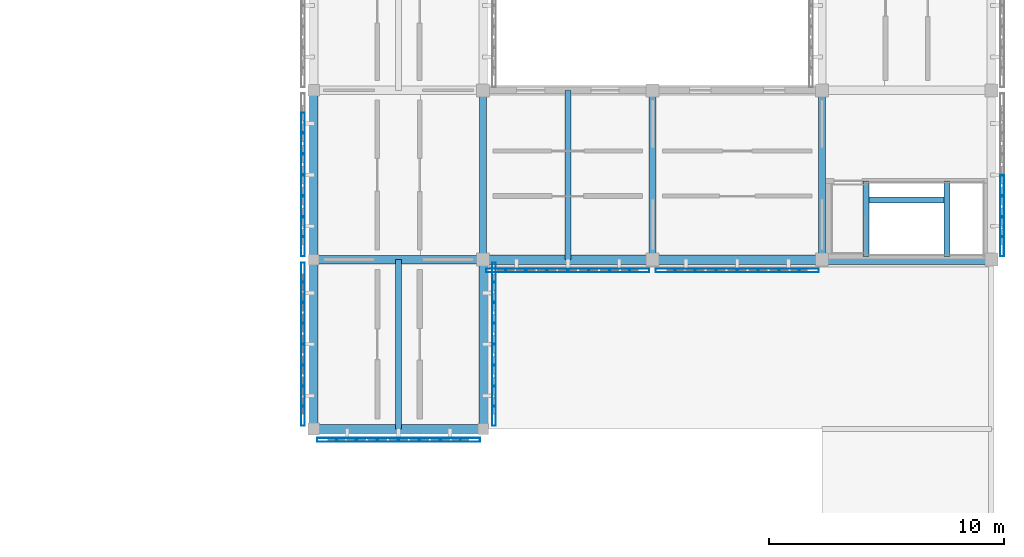
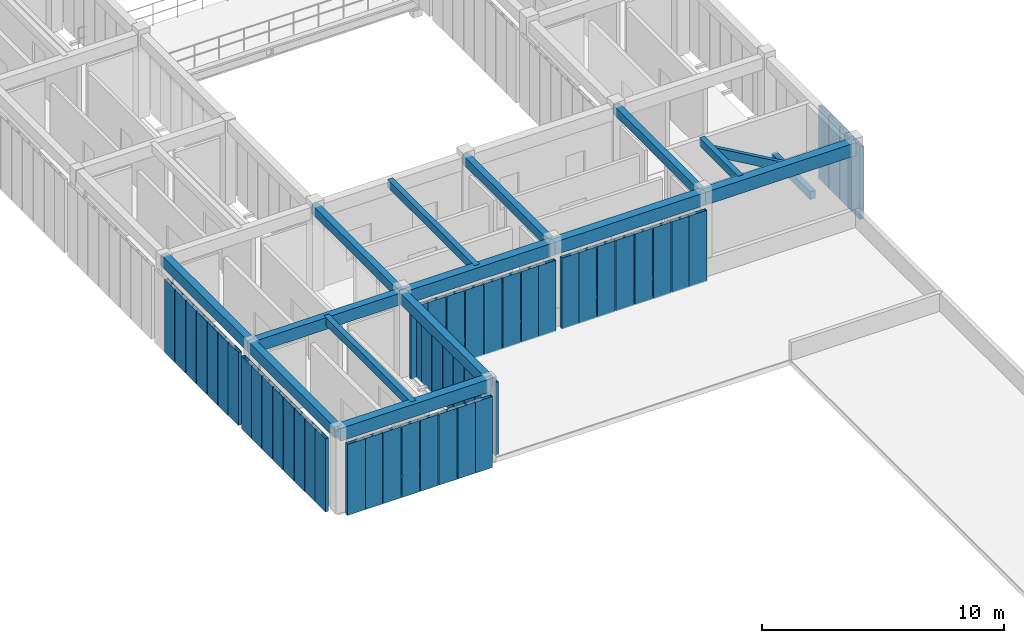
# One storey, part 11 of 91: 51 members, 16 beams, 7 elements without a shape of their own.
"""IFC4 building model written with IfcOpenShell, lengths in metres."""

from ifc_helpers import new_model, si_unit, direction, frame, origin, origin_2d, place, context, subcontext, project, spatial, rectangle, hollow_rectangle, extrude, material, material_profile, profile_set, type_object, element, aggregate, save


model = new_model("IFC4")

# Units and contexts
model_context = context("Model", 3, precision=1e-05, world=origin(), true_north=direction((0.0, 1.0)))
body_context = subcontext(model_context, "Body", "Model", "MODEL_VIEW")
ifc_project = project(units=[si_unit("LENGTHUNIT", "METRE"), si_unit("AREAUNIT", "SQUARE_METRE"), si_unit("VOLUMEUNIT", "CUBIC_METRE"), si_unit("PLANEANGLEUNIT", "RADIAN"), si_unit("MASSUNIT", "GRAM", prefix="KILO")], contexts=[model_context])

# Site, building, storey
site_placement = place(None, origin())
site = spatial("IfcSite", under=ifc_project, at=site_placement, CompositionType="ELEMENT")
building_placement = place(site_placement, origin())
building = spatial("IfcBuilding", under=site, at=building_placement, Name="Aldebral Square Health Centre", CompositionType="ELEMENT")
storey_placement = place(building_placement, frame((0.0, 0.0, 9.0)))
storey = spatial("IfcBuildingStorey", under=building, at=storey_placement, Name="L02", CompositionType="ELEMENT", Elevation=9.0)

# Beams
ifc_material_1 = material(Name="Concrete C40/50", Category="concrete")
ifc_material_profile_1 = material_profile(ifc_material_1, rectangle(XDim=0.39990234375, YDim=0.64990234375, at=origin_2d()), Name="RC 400x650")
ifc_profile_set_1 = profile_set([ifc_material_profile_1], Name="Concrete C40/50")
beam_type_1 = type_object("IfcBeamType", Name="BM-B1", PredefinedType="BEAM", material=ifc_profile_set_1)
for number, where, z_axis, x_axis, name in (
    (1, (136.800048828125, 50.39990234375, 3.9150390625), (1.0, 0.0, 0.0), (0.0, 1.0, 0.0), "L02 X-beam 20-21/G8"),
    (2, (144.0, 57.60009765625, 3.9150390625), (1.0, 0.0, 0.0), (0.0, 1.0, 0.0), "L02 X-beam 21-22/G9"),
    (3, (151.199951171875, 57.60009765625, 3.9150390625), (1.0, 0.0, 0.0), (0.0, 1.0, 0.0), "L02 X-beam 22-23/G9"),
):
    element("IfcBeam", number, at=place(storey_placement, frame(where, z_axis=z_axis, x_axis=x_axis)), inside=storey, type_object=beam_type_1, Name=name, PredefinedType="BEAM", context=body_context, shape_type="SweptSolid", body=[
        extrude(rectangle(XDim=0.39990234375, YDim=0.64990234375, at=origin_2d()), origin(), (0.0, 0.0, 1.0), 7.199951171875),
    ])
beam_1_placement = place(storey_placement, frame((158.39990234375, 57.60009765625, 3.9150390625), z_axis=(1.0, 0.0, 0.0), x_axis=(0.0, 1.0, 0.0)))
element("IfcBeam", 4, at=beam_1_placement, inside=storey, type_object=beam_type_1, Name="L02 X-beam 23-24/G9", PredefinedType="BEAM", context=body_context, shape_type="SweptSolid", body=[
    extrude(rectangle(XDim=0.39990234375, YDim=0.64990234375, at=origin_2d()), origin(), (0.0, 0.0, 1.0), 7.2001953125),
])
ifc_material_profile_2 = material_profile(ifc_material_1, rectangle(XDim=0.35009765625, YDim=0.60009765625, at=origin_2d()), Name="RC 350x600")
ifc_profile_set_2 = profile_set([ifc_material_profile_2], Name="Concrete C40/50")
beam_type_2 = type_object("IfcBeamType", Name="BM-B2", PredefinedType="BEAM", material=ifc_profile_set_2)
beam_2_placement = place(storey_placement, frame((136.800048828125, 57.60009765625, 3.93994140625), z_axis=(1.0, 0.0, 0.0), x_axis=(0.0, 1.0, 0.0)))
element("IfcBeam", 5, at=beam_2_placement, inside=storey, type_object=beam_type_2, Name="L02 X-beam 20-21/G9", PredefinedType="BEAM", context=body_context, shape_type="SweptSolid", body=[
    extrude(rectangle(XDim=0.35009765625, YDim=0.60009765625, at=origin_2d()), origin(), (0.0, 0.0, 1.0), 7.199951171875),
])
ifc_material_profile_3 = material_profile(ifc_material_1, rectangle(XDim=0.35009765625, YDim=0.550048828125, at=origin_2d()), Name="RC 350x550")
ifc_profile_set_3 = profile_set([ifc_material_profile_3], Name="Concrete C40/50")
beam_type_3 = type_object("IfcBeamType", Name="BM-B3", PredefinedType="BEAM", material=ifc_profile_set_3)
beam_3_placement = place(storey_placement, frame((136.800048828125, 50.39990234375, 3.965087890625), z_axis=(0.0, 1.0, 0.0), x_axis=(-1.0, 0.0, 0.0)))
element("IfcBeam", 6, at=beam_3_placement, inside=storey, type_object=beam_type_3, Name="L02 Y-beam G20/8-9", PredefinedType="BEAM", context=body_context, shape_type="SweptSolid", body=[
    extrude(rectangle(XDim=0.35009765625, YDim=0.550048828125, at=origin_2d()), origin(), (0.0, 0.0, 1.0), 7.2001953125),
])
beam_4_placement = place(storey_placement, frame((136.800048828125, 57.60009765625, 3.965087890625), z_axis=(0.0, 1.0, 0.0), x_axis=(-1.0, 0.0, 0.0)))
element("IfcBeam", 7, at=beam_4_placement, inside=storey, type_object=beam_type_3, Name="L02 Y-beam G20/9-10", PredefinedType="BEAM", context=body_context, shape_type="SweptSolid", body=[
    extrude(rectangle(XDim=0.35009765625, YDim=0.550048828125, at=origin_2d()), origin(), (0.0, 0.0, 1.0), 7.199951171875),
])
beam_5_placement = place(storey_placement, frame((144.0, 50.39990234375, 3.965087890625), z_axis=(0.0, 1.0, 0.0), x_axis=(-1.0, 0.0, 0.0)))
element("IfcBeam", 8, at=beam_5_placement, inside=storey, type_object=beam_type_3, Name="L02 Y-beam G21/8-9", PredefinedType="BEAM", context=body_context, shape_type="SweptSolid", body=[
    extrude(rectangle(XDim=0.35009765625, YDim=0.550048828125, at=origin_2d()), origin(), (0.0, 0.0, 1.0), 7.2001953125),
])
ifc_material_profile_4 = material_profile(ifc_material_1, rectangle(XDim=0.300048828125, YDim=0.449951171875, at=origin_2d()), Name="RC 300x450")
ifc_profile_set_4 = profile_set([ifc_material_profile_4], Name="Concrete C40/50")
beam_type_4 = type_object("IfcBeamType", Name="BM-B5", PredefinedType="BEAM", material=ifc_profile_set_4)
for number, where, z_axis, x_axis, name in (
    (9, (144.0, 57.60009765625, 4.014892578125), (0.0, 1.0, 0.0), (-1.0, 0.0, 0.0), "L02 Y-beam G21/9-10"),
    (10, (151.199951171875, 57.60009765625, 4.014892578125), (0.0, 1.0, 0.0), (-1.0, 0.0, 0.0), "L02 Y-beam G22/9-10"),
    (11, (158.39990234375, 57.60009765625, 4.014892578125), (0.0, 1.0, 0.0), (-1.0, 0.0, 0.0), "L02 Y-beam G23/9-10"),
):
    element("IfcBeam", number, at=place(storey_placement, frame(where, z_axis=z_axis, x_axis=x_axis)), inside=storey, type_object=beam_type_4, Name=name, PredefinedType="BEAM", context=body_context, shape_type="SweptSolid", body=[
        extrude(rectangle(XDim=0.300048828125, YDim=0.449951171875, at=origin_2d()), origin(), (0.0, 0.0, 1.0), 7.199951171875),
    ])
ifc_material_profile_5 = material_profile(ifc_material_1, rectangle(XDim=0.25, YDim=0.39990234375, at=origin_2d()), Name="RC 250x400")
ifc_profile_set_5 = profile_set([ifc_material_profile_5], Name="Concrete C40/50")
beam_type_5 = type_object("IfcBeamType", Name="BM-B6", PredefinedType="JOIST", material=ifc_profile_set_5)
beam_6_placement = place(storey_placement, frame((140.39990234375, 50.39990234375, 4.0400390625), z_axis=(0.0, 1.0, 0.0), x_axis=(-1.0, 0.0, 0.0)))
element("IfcBeam", 12, at=beam_6_placement, inside=storey, type_object=beam_type_5, Name="L02 secondary rib 20.8", PredefinedType="JOIST", context=body_context, shape_type="SweptSolid", body=[
    extrude(rectangle(XDim=0.25, YDim=0.39990234375, at=origin_2d()), origin(), (0.0, 0.0, 1.0), 7.2001953125),
])
beam_7_placement = place(storey_placement, frame((147.60009765625, 57.60009765625, 4.0400390625), z_axis=(0.0, 1.0, 0.0), x_axis=(-1.0, 0.0, 0.0)))
element("IfcBeam", 13, at=beam_7_placement, inside=storey, type_object=beam_type_5, Name="L02 secondary rib 21.9", PredefinedType="JOIST", context=body_context, shape_type="SweptSolid", body=[
    extrude(rectangle(XDim=0.25, YDim=0.39990234375, at=origin_2d()), origin(), (0.0, 0.0, 1.0), 7.199951171875),
])
for number, where, z_axis, x_axis, name in (
    (14, (163.719970703125, 57.72998046875, 2.050048828125), (0.0, 1.0, 0.0), (-1.0, 0.0, 0.0), "L02 WS-S9 half-landing beam"),
    (15, (160.280029296875, 57.72998046875, 4.0400390625), (0.0, 1.0, 0.0), (-1.0, 0.0, 0.0), "L02 WS-S9 upper landing beam"),
):
    element("IfcBeam", number, at=place(storey_placement, frame(where, z_axis=z_axis, x_axis=x_axis)), inside=storey, type_object=beam_type_5, Name=name, PredefinedType="JOIST", context=body_context, shape_type="SweptSolid", body=[
        extrude(rectangle(XDim=0.25, YDim=0.39990234375, at=origin_2d()), origin(), (0.0, 0.0, 1.0), 3.219970703125),
    ])
beam_8_placement = place(storey_placement, frame((163.719970703125, 60.139892578125, 2.050048828125), z_axis=(-0.865595878586, 0.0, 0.500743222595), x_axis=(0.0, -1.0, 0.0)))
element("IfcBeam", 16, at=beam_8_placement, inside=storey, type_object=beam_type_5, Name="L02 WS-S9 flight stringer beam", PredefinedType="JOIST", context=body_context, shape_type="SweptSolid", body=[
    extrude(rectangle(XDim=0.25, YDim=0.39990234375, at=origin_2d()), origin(), (0.0, 0.0, 1.0), 3.97412109375),
])

# Curtain wall, members
ifc_material_2 = material(Name="Aluminium and low-E solar glass", Category="aluminium")
curtain_wall_type = type_object("IfcCurtainWallType", Name="CW-FIN-SYS", PredefinedType="USERDEFINED", material=ifc_material_2)
curtain_wall_1_placement = place(storey_placement, origin())
curtain_wall_1 = element("IfcCurtainWall", 17, at=curtain_wall_1_placement, inside=storey, type_object=curtain_wall_type, Name="L02 V5 finned curtain wall L02-V5-19-07-S", ObjectType="SOLAR_CURTAIN_WALL", PredefinedType="USERDEFINED")
ifc_material_3 = material(Name="Sienna-terracotta clad aluminium fin", Category="masonry")
ifc_material_profile_6 = material_profile(ifc_material_3, hollow_rectangle(XDim=0.159912109375, YDim=0.85009765625, WallThickness=0.006103515625, at=origin_2d()), Name="FIN 160x850x6")
ifc_profile_set_6 = profile_set([ifc_material_profile_6], Name="Sienna-terracotta clad aluminium fin")
member_type = type_object("IfcMemberType", Name="CWM-FIN", PredefinedType="MULLION", material=ifc_profile_set_6)
member_1_placement = place(storey_placement, frame((137.360107421875, 49.93994140625, 0.0), z_axis=(0.0, 0.0, 1.0), x_axis=(0.0, 1.0, 0.0)))
member_1 = element("IfcMember", 18, at=member_1_placement, type_object=member_type, Name="CW1 mullion 1", PredefinedType="MULLION", context=body_context, shape_type="SweptSolid", body=[
    extrude(hollow_rectangle(XDim=0.159912109375, YDim=0.85009765625, WallThickness=0.006103515625, at=origin_2d()), origin(), (0.0, 0.0, 1.0), 3.590087890625),
])
member_2_placement = place(storey_placement, frame((138.17138671875, 49.93994140625, 0.0), z_axis=(0.0, 0.0, 1.0), x_axis=(0.0, 1.0, 0.0)))
member_2 = element("IfcMember", 19, at=member_2_placement, type_object=member_type, Name="CW1 mullion 2", PredefinedType="MULLION", context=body_context, shape_type="SweptSolid", body=[
    extrude(hollow_rectangle(XDim=0.159912109375, YDim=0.85009765625, WallThickness=0.006103515625, at=origin_2d()), origin(), (0.0, 0.0, 1.0), 3.590087890625),
])
member_3_placement = place(storey_placement, frame((139.062744140625, 49.93994140625, 0.0), z_axis=(0.0, 0.0, 1.0), x_axis=(0.0, 1.0, 0.0)))
member_3 = element("IfcMember", 20, at=member_3_placement, type_object=member_type, Name="CW1 mullion 3", PredefinedType="MULLION", context=body_context, shape_type="SweptSolid", body=[
    extrude(hollow_rectangle(XDim=0.159912109375, YDim=0.85009765625, WallThickness=0.006103515625, at=origin_2d()), origin(), (0.0, 0.0, 1.0), 3.590087890625),
])
member_4_placement = place(storey_placement, frame((139.954345703125, 49.93994140625, 0.0), z_axis=(0.0, 0.0, 1.0), x_axis=(0.0, 1.0, 0.0)))
member_4 = element("IfcMember", 21, at=member_4_placement, type_object=member_type, Name="CW1 mullion 4", PredefinedType="MULLION", context=body_context, shape_type="SweptSolid", body=[
    extrude(hollow_rectangle(XDim=0.159912109375, YDim=0.85009765625, WallThickness=0.006103515625, at=origin_2d()), origin(), (0.0, 0.0, 1.0), 3.590087890625),
])
member_5_placement = place(storey_placement, frame((140.845703125, 49.93994140625, 0.0), z_axis=(0.0, 0.0, 1.0), x_axis=(0.0, 1.0, 0.0)))
member_5 = element("IfcMember", 22, at=member_5_placement, type_object=member_type, Name="CW1 mullion 5", PredefinedType="MULLION", context=body_context, shape_type="SweptSolid", body=[
    extrude(hollow_rectangle(XDim=0.159912109375, YDim=0.85009765625, WallThickness=0.006103515625, at=origin_2d()), origin(), (0.0, 0.0, 1.0), 3.590087890625),
])
member_6_placement = place(storey_placement, frame((141.737060546875, 49.93994140625, 0.0), z_axis=(0.0, 0.0, 1.0), x_axis=(0.0, 1.0, 0.0)))
member_6 = element("IfcMember", 23, at=member_6_placement, type_object=member_type, Name="CW1 mullion 6", PredefinedType="MULLION", context=body_context, shape_type="SweptSolid", body=[
    extrude(hollow_rectangle(XDim=0.159912109375, YDim=0.85009765625, WallThickness=0.006103515625, at=origin_2d()), origin(), (0.0, 0.0, 1.0), 3.590087890625),
])
member_7_placement = place(storey_placement, frame((142.628662109375, 49.93994140625, 0.0), z_axis=(0.0, 0.0, 1.0), x_axis=(0.0, 1.0, 0.0)))
member_7 = element("IfcMember", 24, at=member_7_placement, type_object=member_type, Name="CW1 mullion 7", PredefinedType="MULLION", context=body_context, shape_type="SweptSolid", body=[
    extrude(hollow_rectangle(XDim=0.159912109375, YDim=0.85009765625, WallThickness=0.006103515625, at=origin_2d()), origin(), (0.0, 0.0, 1.0), 3.590087890625),
])
member_8_placement = place(storey_placement, frame((143.43994140625, 49.93994140625, 0.0), z_axis=(0.0, 0.0, 1.0), x_axis=(0.0, 1.0, 0.0)))
member_8 = element("IfcMember", 25, at=member_8_placement, type_object=member_type, Name="CW1 mullion 8", PredefinedType="MULLION", context=body_context, shape_type="SweptSolid", body=[
    extrude(hollow_rectangle(XDim=0.159912109375, YDim=0.85009765625, WallThickness=0.006103515625, at=origin_2d()), origin(), (0.0, 0.0, 1.0), 3.590087890625),
])
aggregate(curtain_wall_1, [member_1, member_2, member_3, member_4, member_5, member_6, member_7, member_8])

curtain_wall_2_placement = place(storey_placement, origin())
curtain_wall_2 = element("IfcCurtainWall", 26, at=curtain_wall_2_placement, inside=storey, type_object=curtain_wall_type, Name="L02 V5 finned curtain wall L02-V5-19-07-W", ObjectType="SOLAR_CURTAIN_WALL", PredefinedType="USERDEFINED")
member_9_placement = place(storey_placement, frame((136.340087890625, 57.0400390625, 0.0), z_axis=(0.0, 0.0, 1.0), x_axis=(1.0, 0.0, 0.0)))
member_9 = element("IfcMember", 27, at=member_9_placement, type_object=member_type, Name="CW1 mullion 1", PredefinedType="MULLION", context=body_context, shape_type="SweptSolid", body=[
    extrude(hollow_rectangle(XDim=0.159912109375, YDim=0.85009765625, WallThickness=0.006103515625, at=origin_2d()), origin(), (0.0, 0.0, 1.0), 3.68994140625),
])
member_10_placement = place(storey_placement, frame((136.340087890625, 56.228515625, 0.0), z_axis=(0.0, 0.0, 1.0), x_axis=(1.0, 0.0, 0.0)))
member_10 = element("IfcMember", 28, at=member_10_placement, type_object=member_type, Name="CW1 mullion 2", PredefinedType="MULLION", context=body_context, shape_type="SweptSolid", body=[
    extrude(hollow_rectangle(XDim=0.159912109375, YDim=0.85009765625, WallThickness=0.006103515625, at=origin_2d()), origin(), (0.0, 0.0, 1.0), 3.68994140625),
])
member_11_placement = place(storey_placement, frame((136.340087890625, 55.337158203125, 0.0), z_axis=(0.0, 0.0, 1.0), x_axis=(1.0, 0.0, 0.0)))
member_11 = element("IfcMember", 29, at=member_11_placement, type_object=member_type, Name="CW1 mullion 3", PredefinedType="MULLION", context=body_context, shape_type="SweptSolid", body=[
    extrude(hollow_rectangle(XDim=0.159912109375, YDim=0.85009765625, WallThickness=0.006103515625, at=origin_2d()), origin(), (0.0, 0.0, 1.0), 3.68994140625),
])
member_12_placement = place(storey_placement, frame((136.340087890625, 54.44580078125, 0.0), z_axis=(0.0, 0.0, 1.0), x_axis=(1.0, 0.0, 0.0)))
member_12 = element("IfcMember", 30, at=member_12_placement, type_object=member_type, Name="CW1 mullion 4", PredefinedType="MULLION", context=body_context, shape_type="SweptSolid", body=[
    extrude(hollow_rectangle(XDim=0.159912109375, YDim=0.85009765625, WallThickness=0.006103515625, at=origin_2d()), origin(), (0.0, 0.0, 1.0), 3.68994140625),
])
member_13_placement = place(storey_placement, frame((136.340087890625, 53.55419921875, 0.0), z_axis=(0.0, 0.0, 1.0), x_axis=(1.0, 0.0, 0.0)))
member_13 = element("IfcMember", 31, at=member_13_placement, type_object=member_type, Name="CW1 mullion 5", PredefinedType="MULLION", context=body_context, shape_type="SweptSolid", body=[
    extrude(hollow_rectangle(XDim=0.159912109375, YDim=0.85009765625, WallThickness=0.006103515625, at=origin_2d()), origin(), (0.0, 0.0, 1.0), 3.68994140625),
])
member_14_placement = place(storey_placement, frame((136.340087890625, 52.662841796875, 0.0), z_axis=(0.0, 0.0, 1.0), x_axis=(1.0, 0.0, 0.0)))
member_14 = element("IfcMember", 32, at=member_14_placement, type_object=member_type, Name="CW1 mullion 6", PredefinedType="MULLION", context=body_context, shape_type="SweptSolid", body=[
    extrude(hollow_rectangle(XDim=0.159912109375, YDim=0.85009765625, WallThickness=0.006103515625, at=origin_2d()), origin(), (0.0, 0.0, 1.0), 3.68994140625),
])
member_15_placement = place(storey_placement, frame((136.340087890625, 51.771484375, 0.0), z_axis=(0.0, 0.0, 1.0), x_axis=(1.0, 0.0, 0.0)))
member_15 = element("IfcMember", 33, at=member_15_placement, type_object=member_type, Name="CW1 mullion 7", PredefinedType="MULLION", context=body_context, shape_type="SweptSolid", body=[
    extrude(hollow_rectangle(XDim=0.159912109375, YDim=0.85009765625, WallThickness=0.006103515625, at=origin_2d()), origin(), (0.0, 0.0, 1.0), 3.68994140625),
])
member_16_placement = place(storey_placement, frame((136.340087890625, 50.9599609375, 0.0), z_axis=(0.0, 0.0, 1.0), x_axis=(1.0, 0.0, 0.0)))
member_16 = element("IfcMember", 34, at=member_16_placement, type_object=member_type, Name="CW1 mullion 8", PredefinedType="MULLION", context=body_context, shape_type="SweptSolid", body=[
    extrude(hollow_rectangle(XDim=0.159912109375, YDim=0.85009765625, WallThickness=0.006103515625, at=origin_2d()), origin(), (0.0, 0.0, 1.0), 3.68994140625),
])
aggregate(curtain_wall_2, [member_9, member_10, member_11, member_12, member_13, member_14, member_15, member_16])

curtain_wall_3_placement = place(storey_placement, origin())
curtain_wall_3 = element("IfcCurtainWall", 35, at=curtain_wall_3_placement, inside=storey, type_object=curtain_wall_type, Name="L02 V5 finned curtain wall L02-V5-19-07-E", ObjectType="SOLAR_CURTAIN_WALL", PredefinedType="USERDEFINED")
member_17_placement = place(storey_placement, frame((144.4599609375, 50.9599609375, 0.0), z_axis=(0.0, 0.0, 1.0), x_axis=(-1.0, 0.0, 0.0)))
member_17 = element("IfcMember", 36, at=member_17_placement, type_object=member_type, Name="CW1 mullion 1", PredefinedType="MULLION", context=body_context, shape_type="SweptSolid", body=[
    extrude(hollow_rectangle(XDim=0.159912109375, YDim=0.85009765625, WallThickness=0.006103515625, at=origin_2d()), origin(), (0.0, 0.0, 1.0), 3.68994140625),
])
member_18_placement = place(storey_placement, frame((144.4599609375, 51.771484375, 0.0), z_axis=(0.0, 0.0, 1.0), x_axis=(-1.0, 0.0, 0.0)))
member_18 = element("IfcMember", 37, at=member_18_placement, type_object=member_type, Name="CW1 mullion 2", PredefinedType="MULLION", context=body_context, shape_type="SweptSolid", body=[
    extrude(hollow_rectangle(XDim=0.159912109375, YDim=0.85009765625, WallThickness=0.006103515625, at=origin_2d()), origin(), (0.0, 0.0, 1.0), 3.68994140625),
])
member_19_placement = place(storey_placement, frame((144.4599609375, 52.662841796875, 0.0), z_axis=(0.0, 0.0, 1.0), x_axis=(-1.0, 0.0, 0.0)))
member_19 = element("IfcMember", 38, at=member_19_placement, type_object=member_type, Name="CW1 mullion 3", PredefinedType="MULLION", context=body_context, shape_type="SweptSolid", body=[
    extrude(hollow_rectangle(XDim=0.159912109375, YDim=0.85009765625, WallThickness=0.006103515625, at=origin_2d()), origin(), (0.0, 0.0, 1.0), 3.68994140625),
])
member_20_placement = place(storey_placement, frame((144.4599609375, 53.55419921875, 0.0), z_axis=(0.0, 0.0, 1.0), x_axis=(-1.0, 0.0, 0.0)))
member_20 = element("IfcMember", 39, at=member_20_placement, type_object=member_type, Name="CW1 mullion 4", PredefinedType="MULLION", context=body_context, shape_type="SweptSolid", body=[
    extrude(hollow_rectangle(XDim=0.159912109375, YDim=0.85009765625, WallThickness=0.006103515625, at=origin_2d()), origin(), (0.0, 0.0, 1.0), 3.68994140625),
])
member_21_placement = place(storey_placement, frame((144.4599609375, 54.44580078125, 0.0), z_axis=(0.0, 0.0, 1.0), x_axis=(-1.0, 0.0, 0.0)))
member_21 = element("IfcMember", 40, at=member_21_placement, type_object=member_type, Name="CW1 mullion 5", PredefinedType="MULLION", context=body_context, shape_type="SweptSolid", body=[
    extrude(hollow_rectangle(XDim=0.159912109375, YDim=0.85009765625, WallThickness=0.006103515625, at=origin_2d()), origin(), (0.0, 0.0, 1.0), 3.68994140625),
])
member_22_placement = place(storey_placement, frame((144.4599609375, 55.337158203125, 0.0), z_axis=(0.0, 0.0, 1.0), x_axis=(-1.0, 0.0, 0.0)))
member_22 = element("IfcMember", 41, at=member_22_placement, type_object=member_type, Name="CW1 mullion 6", PredefinedType="MULLION", context=body_context, shape_type="SweptSolid", body=[
    extrude(hollow_rectangle(XDim=0.159912109375, YDim=0.85009765625, WallThickness=0.006103515625, at=origin_2d()), origin(), (0.0, 0.0, 1.0), 3.68994140625),
])
member_23_placement = place(storey_placement, frame((144.4599609375, 56.228515625, 0.0), z_axis=(0.0, 0.0, 1.0), x_axis=(-1.0, 0.0, 0.0)))
member_23 = element("IfcMember", 42, at=member_23_placement, type_object=member_type, Name="CW1 mullion 7", PredefinedType="MULLION", context=body_context, shape_type="SweptSolid", body=[
    extrude(hollow_rectangle(XDim=0.159912109375, YDim=0.85009765625, WallThickness=0.006103515625, at=origin_2d()), origin(), (0.0, 0.0, 1.0), 3.68994140625),
])
member_24_placement = place(storey_placement, frame((144.4599609375, 57.0400390625, 0.0), z_axis=(0.0, 0.0, 1.0), x_axis=(-1.0, 0.0, 0.0)))
member_24 = element("IfcMember", 43, at=member_24_placement, type_object=member_type, Name="CW1 mullion 8", PredefinedType="MULLION", context=body_context, shape_type="SweptSolid", body=[
    extrude(hollow_rectangle(XDim=0.159912109375, YDim=0.85009765625, WallThickness=0.006103515625, at=origin_2d()), origin(), (0.0, 0.0, 1.0), 3.68994140625),
])
aggregate(curtain_wall_3, [member_17, member_18, member_19, member_20, member_21, member_22, member_23, member_24])

curtain_wall_4_placement = place(storey_placement, origin())
curtain_wall_4 = element("IfcCurtainWall", 44, at=curtain_wall_4_placement, inside=storey, type_object=curtain_wall_type, Name="L02 V5 finned curtain wall L02-V5-19-08-W", ObjectType="SOLAR_CURTAIN_WALL", PredefinedType="USERDEFINED")
member_25_placement = place(storey_placement, frame((136.340087890625, 63.428466796875, 0.0), z_axis=(0.0, 0.0, 1.0), x_axis=(1.0, 0.0, 0.0)))
member_25 = element("IfcMember", 45, at=member_25_placement, type_object=member_type, Name="CW1 mullion 2", PredefinedType="MULLION", context=body_context, shape_type="SweptSolid", body=[
    extrude(hollow_rectangle(XDim=0.159912109375, YDim=0.85009765625, WallThickness=0.006103515625, at=origin_2d()), origin(), (0.0, 0.0, 1.0), 3.68994140625),
])
member_26_placement = place(storey_placement, frame((136.340087890625, 62.537109375, 0.0), z_axis=(0.0, 0.0, 1.0), x_axis=(1.0, 0.0, 0.0)))
member_26 = element("IfcMember", 46, at=member_26_placement, type_object=member_type, Name="CW1 mullion 3", PredefinedType="MULLION", context=body_context, shape_type="SweptSolid", body=[
    extrude(hollow_rectangle(XDim=0.159912109375, YDim=0.85009765625, WallThickness=0.006103515625, at=origin_2d()), origin(), (0.0, 0.0, 1.0), 3.68994140625),
])
member_27_placement = place(storey_placement, frame((136.340087890625, 61.645751953125, 0.0), z_axis=(0.0, 0.0, 1.0), x_axis=(1.0, 0.0, 0.0)))
member_27 = element("IfcMember", 47, at=member_27_placement, type_object=member_type, Name="CW1 mullion 4", PredefinedType="MULLION", context=body_context, shape_type="SweptSolid", body=[
    extrude(hollow_rectangle(XDim=0.159912109375, YDim=0.85009765625, WallThickness=0.006103515625, at=origin_2d()), origin(), (0.0, 0.0, 1.0), 3.68994140625),
])
member_28_placement = place(storey_placement, frame((136.340087890625, 60.75439453125, 0.0), z_axis=(0.0, 0.0, 1.0), x_axis=(1.0, 0.0, 0.0)))
member_28 = element("IfcMember", 48, at=member_28_placement, type_object=member_type, Name="CW1 mullion 5", PredefinedType="MULLION", context=body_context, shape_type="SweptSolid", body=[
    extrude(hollow_rectangle(XDim=0.159912109375, YDim=0.85009765625, WallThickness=0.006103515625, at=origin_2d()), origin(), (0.0, 0.0, 1.0), 3.68994140625),
])
member_29_placement = place(storey_placement, frame((136.340087890625, 59.86279296875, 0.0), z_axis=(0.0, 0.0, 1.0), x_axis=(1.0, 0.0, 0.0)))
member_29 = element("IfcMember", 49, at=member_29_placement, type_object=member_type, Name="CW1 mullion 6", PredefinedType="MULLION", context=body_context, shape_type="SweptSolid", body=[
    extrude(hollow_rectangle(XDim=0.159912109375, YDim=0.85009765625, WallThickness=0.006103515625, at=origin_2d()), origin(), (0.0, 0.0, 1.0), 3.68994140625),
])
member_30_placement = place(storey_placement, frame((136.340087890625, 58.971435546875, 0.0), z_axis=(0.0, 0.0, 1.0), x_axis=(1.0, 0.0, 0.0)))
member_30 = element("IfcMember", 50, at=member_30_placement, type_object=member_type, Name="CW1 mullion 7", PredefinedType="MULLION", context=body_context, shape_type="SweptSolid", body=[
    extrude(hollow_rectangle(XDim=0.159912109375, YDim=0.85009765625, WallThickness=0.006103515625, at=origin_2d()), origin(), (0.0, 0.0, 1.0), 3.68994140625),
])
member_31_placement = place(storey_placement, frame((136.340087890625, 58.159912109375, 0.0), z_axis=(0.0, 0.0, 1.0), x_axis=(1.0, 0.0, 0.0)))
member_31 = element("IfcMember", 51, at=member_31_placement, type_object=member_type, Name="CW1 mullion 8", PredefinedType="MULLION", context=body_context, shape_type="SweptSolid", body=[
    extrude(hollow_rectangle(XDim=0.159912109375, YDim=0.85009765625, WallThickness=0.006103515625, at=origin_2d()), origin(), (0.0, 0.0, 1.0), 3.68994140625),
])
aggregate(curtain_wall_4, [member_25, member_26, member_27, member_28, member_29, member_30, member_31])

curtain_wall_5_placement = place(storey_placement, origin())
curtain_wall_5 = element("IfcCurtainWall", 52, at=curtain_wall_5_placement, inside=storey, type_object=curtain_wall_type, Name="L02 V5 finned curtain wall L02-V5-20-08-S", ObjectType="SOLAR_CURTAIN_WALL", PredefinedType="USERDEFINED")
member_32_placement = place(storey_placement, frame((144.56005859375, 57.139892578125, 0.0), z_axis=(0.0, 0.0, 1.0), x_axis=(0.0, 1.0, 0.0)))
member_32 = element("IfcMember", 53, at=member_32_placement, type_object=member_type, Name="CW1 mullion 1", PredefinedType="MULLION", context=body_context, shape_type="SweptSolid", body=[
    extrude(hollow_rectangle(XDim=0.159912109375, YDim=0.85009765625, WallThickness=0.006103515625, at=origin_2d()), origin(), (0.0, 0.0, 1.0), 3.590087890625),
])
member_33_placement = place(storey_placement, frame((145.371337890625, 57.139892578125, 0.0), z_axis=(0.0, 0.0, 1.0), x_axis=(0.0, 1.0, 0.0)))
member_33 = element("IfcMember", 54, at=member_33_placement, type_object=member_type, Name="CW1 mullion 2", PredefinedType="MULLION", context=body_context, shape_type="SweptSolid", body=[
    extrude(hollow_rectangle(XDim=0.159912109375, YDim=0.85009765625, WallThickness=0.006103515625, at=origin_2d()), origin(), (0.0, 0.0, 1.0), 3.590087890625),
])
member_34_placement = place(storey_placement, frame((146.262939453125, 57.139892578125, 0.0), z_axis=(0.0, 0.0, 1.0), x_axis=(0.0, 1.0, 0.0)))
member_34 = element("IfcMember", 55, at=member_34_placement, type_object=member_type, Name="CW1 mullion 3", PredefinedType="MULLION", context=body_context, shape_type="SweptSolid", body=[
    extrude(hollow_rectangle(XDim=0.159912109375, YDim=0.85009765625, WallThickness=0.006103515625, at=origin_2d()), origin(), (0.0, 0.0, 1.0), 3.590087890625),
])
member_35_placement = place(storey_placement, frame((147.154296875, 57.139892578125, 0.0), z_axis=(0.0, 0.0, 1.0), x_axis=(0.0, 1.0, 0.0)))
member_35 = element("IfcMember", 56, at=member_35_placement, type_object=member_type, Name="CW1 mullion 4", PredefinedType="MULLION", context=body_context, shape_type="SweptSolid", body=[
    extrude(hollow_rectangle(XDim=0.159912109375, YDim=0.85009765625, WallThickness=0.006103515625, at=origin_2d()), origin(), (0.0, 0.0, 1.0), 3.590087890625),
])
member_36_placement = place(storey_placement, frame((148.045654296875, 57.139892578125, 0.0), z_axis=(0.0, 0.0, 1.0), x_axis=(0.0, 1.0, 0.0)))
member_36 = element("IfcMember", 57, at=member_36_placement, type_object=member_type, Name="CW1 mullion 5", PredefinedType="MULLION", context=body_context, shape_type="SweptSolid", body=[
    extrude(hollow_rectangle(XDim=0.159912109375, YDim=0.85009765625, WallThickness=0.006103515625, at=origin_2d()), origin(), (0.0, 0.0, 1.0), 3.590087890625),
])
member_37_placement = place(storey_placement, frame((148.937255859375, 57.139892578125, 0.0), z_axis=(0.0, 0.0, 1.0), x_axis=(0.0, 1.0, 0.0)))
member_37 = element("IfcMember", 58, at=member_37_placement, type_object=member_type, Name="CW1 mullion 6", PredefinedType="MULLION", context=body_context, shape_type="SweptSolid", body=[
    extrude(hollow_rectangle(XDim=0.159912109375, YDim=0.85009765625, WallThickness=0.006103515625, at=origin_2d()), origin(), (0.0, 0.0, 1.0), 3.590087890625),
])
member_38_placement = place(storey_placement, frame((149.82861328125, 57.139892578125, 0.0), z_axis=(0.0, 0.0, 1.0), x_axis=(0.0, 1.0, 0.0)))
member_38 = element("IfcMember", 59, at=member_38_placement, type_object=member_type, Name="CW1 mullion 7", PredefinedType="MULLION", context=body_context, shape_type="SweptSolid", body=[
    extrude(hollow_rectangle(XDim=0.159912109375, YDim=0.85009765625, WallThickness=0.006103515625, at=origin_2d()), origin(), (0.0, 0.0, 1.0), 3.590087890625),
])
member_39_placement = place(storey_placement, frame((150.639892578125, 57.139892578125, 0.0), z_axis=(0.0, 0.0, 1.0), x_axis=(0.0, 1.0, 0.0)))
member_39 = element("IfcMember", 60, at=member_39_placement, type_object=member_type, Name="CW1 mullion 8", PredefinedType="MULLION", context=body_context, shape_type="SweptSolid", body=[
    extrude(hollow_rectangle(XDim=0.159912109375, YDim=0.85009765625, WallThickness=0.006103515625, at=origin_2d()), origin(), (0.0, 0.0, 1.0), 3.590087890625),
])
aggregate(curtain_wall_5, [member_32, member_33, member_34, member_35, member_36, member_37, member_38, member_39])

curtain_wall_6_placement = place(storey_placement, origin())
curtain_wall_6 = element("IfcCurtainWall", 61, at=curtain_wall_6_placement, inside=storey, type_object=curtain_wall_type, Name="L02 V5 finned curtain wall L02-V5-21-08-S", ObjectType="SOLAR_CURTAIN_WALL", PredefinedType="USERDEFINED")
member_40_placement = place(storey_placement, frame((151.760009765625, 57.139892578125, 0.0), z_axis=(0.0, 0.0, 1.0), x_axis=(0.0, 1.0, 0.0)))
member_40 = element("IfcMember", 62, at=member_40_placement, type_object=member_type, Name="CW1 mullion 1", PredefinedType="MULLION", context=body_context, shape_type="SweptSolid", body=[
    extrude(hollow_rectangle(XDim=0.159912109375, YDim=0.85009765625, WallThickness=0.006103515625, at=origin_2d()), origin(), (0.0, 0.0, 1.0), 3.590087890625),
])
member_41_placement = place(storey_placement, frame((152.571533203125, 57.139892578125, 0.0), z_axis=(0.0, 0.0, 1.0), x_axis=(0.0, 1.0, 0.0)))
member_41 = element("IfcMember", 63, at=member_41_placement, type_object=member_type, Name="CW1 mullion 2", PredefinedType="MULLION", context=body_context, shape_type="SweptSolid", body=[
    extrude(hollow_rectangle(XDim=0.159912109375, YDim=0.85009765625, WallThickness=0.006103515625, at=origin_2d()), origin(), (0.0, 0.0, 1.0), 3.590087890625),
])
member_42_placement = place(storey_placement, frame((153.462890625, 57.139892578125, 0.0), z_axis=(0.0, 0.0, 1.0), x_axis=(0.0, 1.0, 0.0)))
member_42 = element("IfcMember", 64, at=member_42_placement, type_object=member_type, Name="CW1 mullion 3", PredefinedType="MULLION", context=body_context, shape_type="SweptSolid", body=[
    extrude(hollow_rectangle(XDim=0.159912109375, YDim=0.85009765625, WallThickness=0.006103515625, at=origin_2d()), origin(), (0.0, 0.0, 1.0), 3.590087890625),
])
member_43_placement = place(storey_placement, frame((154.354248046875, 57.139892578125, 0.0), z_axis=(0.0, 0.0, 1.0), x_axis=(0.0, 1.0, 0.0)))
member_43 = element("IfcMember", 65, at=member_43_placement, type_object=member_type, Name="CW1 mullion 4", PredefinedType="MULLION", context=body_context, shape_type="SweptSolid", body=[
    extrude(hollow_rectangle(XDim=0.159912109375, YDim=0.85009765625, WallThickness=0.006103515625, at=origin_2d()), origin(), (0.0, 0.0, 1.0), 3.590087890625),
])
member_44_placement = place(storey_placement, frame((155.24560546875, 57.139892578125, 0.0), z_axis=(0.0, 0.0, 1.0), x_axis=(0.0, 1.0, 0.0)))
member_44 = element("IfcMember", 66, at=member_44_placement, type_object=member_type, Name="CW1 mullion 5", PredefinedType="MULLION", context=body_context, shape_type="SweptSolid", body=[
    extrude(hollow_rectangle(XDim=0.159912109375, YDim=0.85009765625, WallThickness=0.006103515625, at=origin_2d()), origin(), (0.0, 0.0, 1.0), 3.590087890625),
])
member_45_placement = place(storey_placement, frame((156.13720703125, 57.139892578125, 0.0), z_axis=(0.0, 0.0, 1.0), x_axis=(0.0, 1.0, 0.0)))
member_45 = element("IfcMember", 67, at=member_45_placement, type_object=member_type, Name="CW1 mullion 6", PredefinedType="MULLION", context=body_context, shape_type="SweptSolid", body=[
    extrude(hollow_rectangle(XDim=0.159912109375, YDim=0.85009765625, WallThickness=0.006103515625, at=origin_2d()), origin(), (0.0, 0.0, 1.0), 3.590087890625),
])
member_46_placement = place(storey_placement, frame((157.028564453125, 57.139892578125, 0.0), z_axis=(0.0, 0.0, 1.0), x_axis=(0.0, 1.0, 0.0)))
member_46 = element("IfcMember", 68, at=member_46_placement, type_object=member_type, Name="CW1 mullion 7", PredefinedType="MULLION", context=body_context, shape_type="SweptSolid", body=[
    extrude(hollow_rectangle(XDim=0.159912109375, YDim=0.85009765625, WallThickness=0.006103515625, at=origin_2d()), origin(), (0.0, 0.0, 1.0), 3.590087890625),
])
member_47_placement = place(storey_placement, frame((157.840087890625, 57.139892578125, 0.0), z_axis=(0.0, 0.0, 1.0), x_axis=(0.0, 1.0, 0.0)))
member_47 = element("IfcMember", 69, at=member_47_placement, type_object=member_type, Name="CW1 mullion 8", PredefinedType="MULLION", context=body_context, shape_type="SweptSolid", body=[
    extrude(hollow_rectangle(XDim=0.159912109375, YDim=0.85009765625, WallThickness=0.006103515625, at=origin_2d()), origin(), (0.0, 0.0, 1.0), 3.590087890625),
])
aggregate(curtain_wall_6, [member_40, member_41, member_42, member_43, member_44, member_45, member_46, member_47])

curtain_wall_7_placement = place(storey_placement, origin())
curtain_wall_7 = element("IfcCurtainWall", 70, at=curtain_wall_7_placement, inside=storey, type_object=curtain_wall_type, Name="L02 V5 finned curtain wall L02-V5-22-08-E", ObjectType="SOLAR_CURTAIN_WALL", PredefinedType="USERDEFINED")
member_48_placement = place(storey_placement, frame((166.06005859375, 58.159912109375, 0.0), z_axis=(0.0, 0.0, 1.0), x_axis=(-1.0, 0.0, 0.0)))
member_48 = element("IfcMember", 71, at=member_48_placement, type_object=member_type, Name="CW1 mullion 1", PredefinedType="MULLION", context=body_context, shape_type="SweptSolid", body=[
    extrude(hollow_rectangle(XDim=0.159912109375, YDim=0.85009765625, WallThickness=0.006103515625, at=origin_2d()), origin(), (0.0, 0.0, 1.0), 3.68994140625),
])
member_49_placement = place(storey_placement, frame((166.06005859375, 58.971435546875, 0.0), z_axis=(0.0, 0.0, 1.0), x_axis=(-1.0, 0.0, 0.0)))
member_49 = element("IfcMember", 72, at=member_49_placement, type_object=member_type, Name="CW1 mullion 2", PredefinedType="MULLION", context=body_context, shape_type="SweptSolid", body=[
    extrude(hollow_rectangle(XDim=0.159912109375, YDim=0.85009765625, WallThickness=0.006103515625, at=origin_2d()), origin(), (0.0, 0.0, 1.0), 3.68994140625),
])
member_50_placement = place(storey_placement, frame((166.06005859375, 59.86279296875, 0.0), z_axis=(0.0, 0.0, 1.0), x_axis=(-1.0, 0.0, 0.0)))
member_50 = element("IfcMember", 73, at=member_50_placement, type_object=member_type, Name="CW1 mullion 3", PredefinedType="MULLION", context=body_context, shape_type="SweptSolid", body=[
    extrude(hollow_rectangle(XDim=0.159912109375, YDim=0.85009765625, WallThickness=0.006103515625, at=origin_2d()), origin(), (0.0, 0.0, 1.0), 3.68994140625),
])
member_51_placement = place(storey_placement, frame((166.06005859375, 60.75439453125, 0.0), z_axis=(0.0, 0.0, 1.0), x_axis=(-1.0, 0.0, 0.0)))
member_51 = element("IfcMember", 74, at=member_51_placement, type_object=member_type, Name="CW1 mullion 4", PredefinedType="MULLION", context=body_context, shape_type="SweptSolid", body=[
    extrude(hollow_rectangle(XDim=0.159912109375, YDim=0.85009765625, WallThickness=0.006103515625, at=origin_2d()), origin(), (0.0, 0.0, 1.0), 3.68994140625),
])
aggregate(curtain_wall_7, [member_48, member_49, member_50, member_51])

save(model, "model.ifc")
